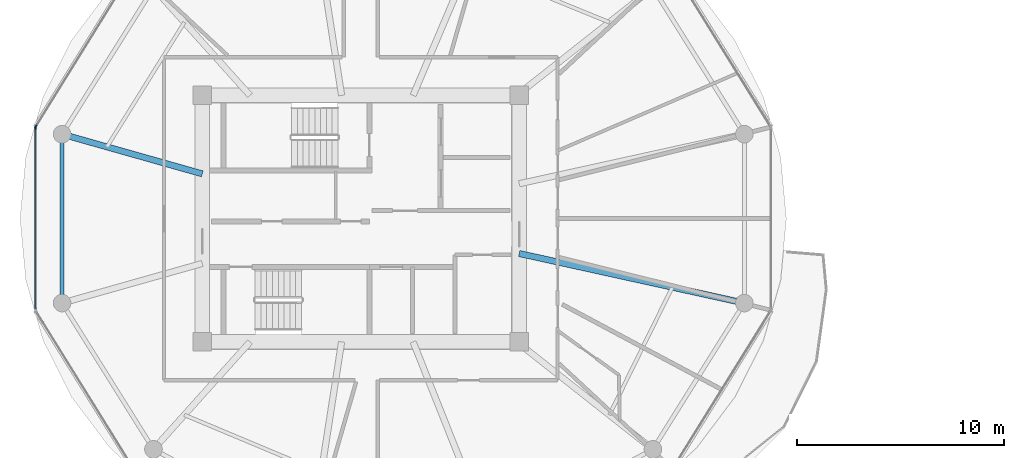
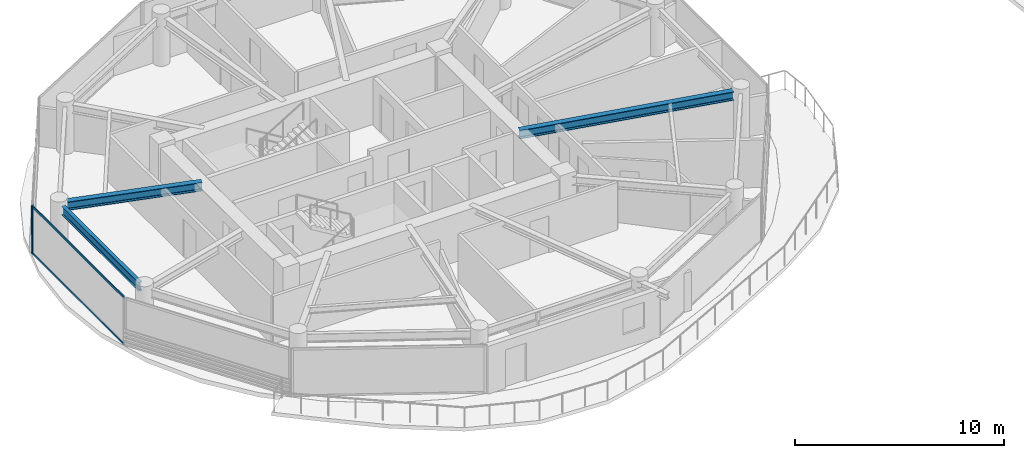
# One storey, part 3 of 24: 4 members, 3 beams, 2 elements without a shape of their own.
"""IFC4 building model written with IfcOpenShell, lengths in metres."""

from ifc_helpers import new_model, si_unit, direction, frame, origin, origin_2d, place, context, subcontext, project, spatial, rectangle, i_section, extrude, source, transform, mapped, material, layer, layer_set, material_profile, profile_set, type_object, type_shapes, element, aggregate, save


model = new_model("IFC4")

# Units and contexts
model_context = context("Model", 3, precision=1e-05, world=origin(), true_north=direction((0.0, 1.0)))
body_context = subcontext(model_context, "Body", "Model", "MODEL_VIEW")
ifc_project = project(units=[si_unit("LENGTHUNIT", "METRE"), si_unit("AREAUNIT", "SQUARE_METRE"), si_unit("VOLUMEUNIT", "CUBIC_METRE"), si_unit("PLANEANGLEUNIT", "RADIAN"), si_unit("MASSUNIT", "GRAM", prefix="KILO")], contexts=[model_context])

# Site, building, storey
site_placement = place(None, origin())
site = spatial("IfcSite", under=ifc_project, at=site_placement, CompositionType="ELEMENT")
building_placement = place(site_placement, origin())
building = spatial("IfcBuilding", under=site, at=building_placement, Name="Norrkilde Senior Care Towers", CompositionType="ELEMENT")
storey_placement = place(building_placement, frame((0.0, 0.0, 117.60009765625)))
storey = spatial("IfcBuildingStorey", under=building, at=storey_placement, Name="L36", CompositionType="ELEMENT", Elevation=117.60009765625)

# Beams
ifc_material_1 = material(Name="Steel S355", Category="steel")
ifc_material_profile_1 = material_profile(ifc_material_1, i_section(OverallWidth=0.300048828125, OverallDepth=0.5, WebThickness=0.014404296875, FlangeThickness=0.028076171875, FilletRadius=0.027099609375, at=origin_2d()), Name="HEB 500")
ifc_profile_set_1 = profile_set([ifc_material_profile_1], Name="Steel S355")
beam_type_1 = type_object("IfcBeamType", Name="Radial Floor Beam Z2 HEB500", PredefinedType="BEAM", material=ifc_profile_set_1)
shared_shape_1 = source(origin(), body_context, "Body", "SweptSolid", [
    extrude(i_section(OverallWidth=0.300048828125, OverallDepth=0.5, WebThickness=0.014404296875, FlangeThickness=0.028076171875, FilletRadius=0.027099609375, at=origin_2d()), origin(), (0.0, 0.0, 1.0), 10.744384765625),
])
beam_1_placement = place(storey_placement, frame((-20.35009765625, -1.683837890625, 2.539794921875), z_axis=(0.976618711422, -0.214978818724, 0.0), x_axis=(0.214978818724, 0.976618711422, 0.0)))
element("IfcBeam", 1, at=beam_1_placement, inside=storey, type_object=beam_type_1, Name="L36 Drum W Radial Floor Beam 12", PredefinedType="BEAM", context=body_context, shape_type="MappedRepresentation", body=[
    mapped(shared_shape_1, transform((0.0, 0.0, 0.0), x_axis=(1.0, 0.0, 0.0), y_axis=(0.0, 1.0, 0.0), z_axis=(0.0, 0.0, 1.0), scale=1.0)),
])
ifc_material_profile_2 = material_profile(ifc_material_1, i_section(OverallWidth=0.199951171875, OverallDepth=0.5, WebThickness=0.01025390625, FlangeThickness=0.01611328125, FilletRadius=0.02099609375, at=origin_2d()), Name="IPE 500")
ifc_profile_set_2 = profile_set([ifc_material_profile_2], Name="Steel S355")
beam_type_2 = type_object("IfcBeamType", Name="Perimeter Ring Spandrel Z2 IPE500", PredefinedType="SPANDREL", material=ifc_profile_set_2)
shared_shape_2 = source(origin(), body_context, "Body", "SweptSolid", [
    extrude(i_section(OverallWidth=0.199951171875, OverallDepth=0.5, WebThickness=0.01025390625, FlangeThickness=0.01611328125, FilletRadius=0.02099609375, at=origin_2d()), origin(), (0.0, 0.0, 1.0), 7.3828125),
])
type_shapes(beam_type_2, [shared_shape_2])
beam_2_placement = place(storey_placement, frame((-42.4189453125, 3.69140625, 2.539794921875), z_axis=(0.0, -1.0, 0.0), x_axis=(1.0, 0.0, 0.0)))
element("IfcBeam", 2, at=beam_2_placement, inside=storey, type_object=beam_type_2, Name="L36 Drum W Perimeter Spandrel 06", PredefinedType="SPANDREL", context=body_context, shape_type="MappedRepresentation", body=[
    mapped(shared_shape_2, transform((0.0, 0.0, 0.0), x_axis=(1.0, 0.0, 0.0), y_axis=(0.0, 1.0, 0.0), z_axis=(0.0, 0.0, 1.0), scale=1.0)),
])
shared_shape_3 = source(origin(), body_context, "Body", "SweptSolid", [
    extrude(i_section(OverallWidth=0.300048828125, OverallDepth=0.5, WebThickness=0.014404296875, FlangeThickness=0.028076171875, FilletRadius=0.027099609375, at=origin_2d()), origin(), (0.0, 0.0, 1.0), 6.6494140625),
])
type_shapes(beam_type_1, [shared_shape_1, shared_shape_3])
beam_3_placement = place(storey_placement, frame((-35.64990234375, 2.162841796875, 2.539794921875), z_axis=(-0.962289138357, 0.27202870106, 0.0), x_axis=(-0.27202870106, -0.962289138357, 0.0)))
element("IfcBeam", 3, at=beam_3_placement, inside=storey, type_object=beam_type_1, Name="L36 Drum W Radial Floor Beam 06", PredefinedType="BEAM", context=body_context, shape_type="MappedRepresentation", body=[
    mapped(shared_shape_3, transform((0.0, 0.0, 0.0), x_axis=(1.0, 0.0, 0.0), y_axis=(0.0, 1.0, 0.0), z_axis=(0.0, 0.0, 1.0), scale=1.0)),
])

# Curtain wall, member
ifc_material_2 = material(Name="Triple Low-E Insulated Glazing", Category="glass")
ifc_layer = layer(ifc_material_2, 0.195068359375)
ifc_layer_set = layer_set([ifc_layer], Name="Triple Low-E Insulated Glazing")
curtain_wall_type = type_object("IfcCurtainWallType", Name="CW3 Zone 2 Assisted Living Curtain Wall", PredefinedType="NOTDEFINED", material=ifc_layer_set)
curtain_wall_1_placement = place(storey_placement, origin())
curtain_wall_1 = element("IfcCurtainWall", 4, at=curtain_wall_1_placement, inside=storey, type_object=curtain_wall_type, Name="L36 Drum W Curtain Wall 04", PredefinedType="NOTDEFINED")
ifc_material_3 = material(Name="Anodised Aluminium", Category="aluminium")
ifc_material_profile_3 = material_profile(ifc_material_3, rectangle(XDim=0.06494140625, YDim=0.159912109375, at=origin_2d()), Name="ALU MULL 65x160")
ifc_profile_set_3 = profile_set([ifc_material_profile_3], Name="Anodised Aluminium")
member_type_1 = type_object("IfcMemberType", Name="Curtain Wall Mullion Z1-Z2 65x160", PredefinedType="MULLION", material=ifc_profile_set_3)
shared_shape_4 = source(origin(), body_context, "Body", "SweptSolid", [
    extrude(rectangle(XDim=0.06494140625, YDim=0.159912109375, at=origin_2d()), origin(), (0.0, 0.0, 1.0), 2.789794921875),
])
type_shapes(member_type_1, [shared_shape_4])
member_1_placement = place(storey_placement, frame((-43.6865234375, 4.4482421875, 0.0), z_axis=(0.0, 0.0, 1.0), x_axis=(-0.849410171862, 0.527733228002, 0.0)))
member_1 = element("IfcMember", 5, at=member_1_placement, type_object=member_type_1, Name="CW-3 mullion 1", PredefinedType="MULLION", context=body_context, shape_type="MappedRepresentation", body=[
    mapped(shared_shape_4, transform((0.0, 0.0, 0.0), x_axis=(1.0, 0.0, 0.0), y_axis=(0.0, 1.0, 0.0), z_axis=(0.0, 0.0, 1.0), scale=1.0)),
])
aggregate(curtain_wall_1, [member_1])

# Curtain wall, members
curtain_wall_2_placement = place(storey_placement, origin())
curtain_wall_2 = element("IfcCurtainWall", 6, at=curtain_wall_2_placement, inside=storey, type_object=curtain_wall_type, Name="L36 Drum W Curtain Wall 05", PredefinedType="NOTDEFINED")
member_2_placement = place(storey_placement, frame((-43.70361328125, 4.38818359375, 0.0), z_axis=(0.0, 0.0, 1.0), x_axis=(-1.0, 0.0, 0.0)))
member_2 = element("IfcMember", 7, at=member_2_placement, type_object=member_type_1, Name="CW-3 mullion 2", PredefinedType="MULLION", context=body_context, shape_type="MappedRepresentation", body=[
    mapped(shared_shape_4, transform((0.0, 0.0, 0.0), x_axis=(1.0, 0.0, 0.0), y_axis=(0.0, 1.0, 0.0), z_axis=(0.0, 0.0, 1.0), scale=1.0)),
])
ifc_material_profile_4 = material_profile(ifc_material_3, rectangle(XDim=0.06005859375, YDim=0.1201171875, at=origin_2d()), Name="ALU TRAN 60x120")
ifc_profile_set_4 = profile_set([ifc_material_profile_4], Name="Anodised Aluminium")
member_type_2 = type_object("IfcMemberType", Name="Curtain Wall Transom Typical 60x120", PredefinedType="USERDEFINED", material=ifc_profile_set_4)
shared_shape_5 = source(origin(), body_context, "Body", "SweptSolid", [
    extrude(rectangle(XDim=0.06005859375, YDim=0.1201171875, at=origin_2d()), origin(), (0.0, 0.0, 1.0), 8.71142578125),
])
type_shapes(member_type_2, [shared_shape_5])
member_3_placement = place(storey_placement, frame((-43.70361328125, -4.355712890625, 0.02978515625), z_axis=(0.0, 1.0, 0.0), x_axis=(-1.0, 0.0, 0.0)))
member_3 = element("IfcMember", 8, at=member_3_placement, type_object=member_type_2, Name="CW-3 transom 1.1", ObjectType="TRANSOM", PredefinedType="USERDEFINED", context=body_context, shape_type="MappedRepresentation", body=[
    mapped(shared_shape_5, transform((0.0, 0.0, 0.0), x_axis=(1.0, 0.0, 0.0), y_axis=(0.0, 1.0, 0.0), z_axis=(0.0, 0.0, 1.0), scale=1.0)),
])
member_4_placement = place(storey_placement, frame((-43.70361328125, -4.355712890625, 2.760009765625), z_axis=(0.0, 1.0, 0.0), x_axis=(-1.0, 0.0, 0.0)))
member_4 = element("IfcMember", 9, at=member_4_placement, type_object=member_type_2, Name="CW-3 transom 1.2", ObjectType="TRANSOM", PredefinedType="USERDEFINED", context=body_context, shape_type="MappedRepresentation", body=[
    mapped(shared_shape_5, transform((0.0, 0.0, 0.0), x_axis=(1.0, 0.0, 0.0), y_axis=(0.0, 1.0, 0.0), z_axis=(0.0, 0.0, 1.0), scale=1.0)),
])
aggregate(curtain_wall_2, [member_2, member_3, member_4])

save(model, "model.ifc")
